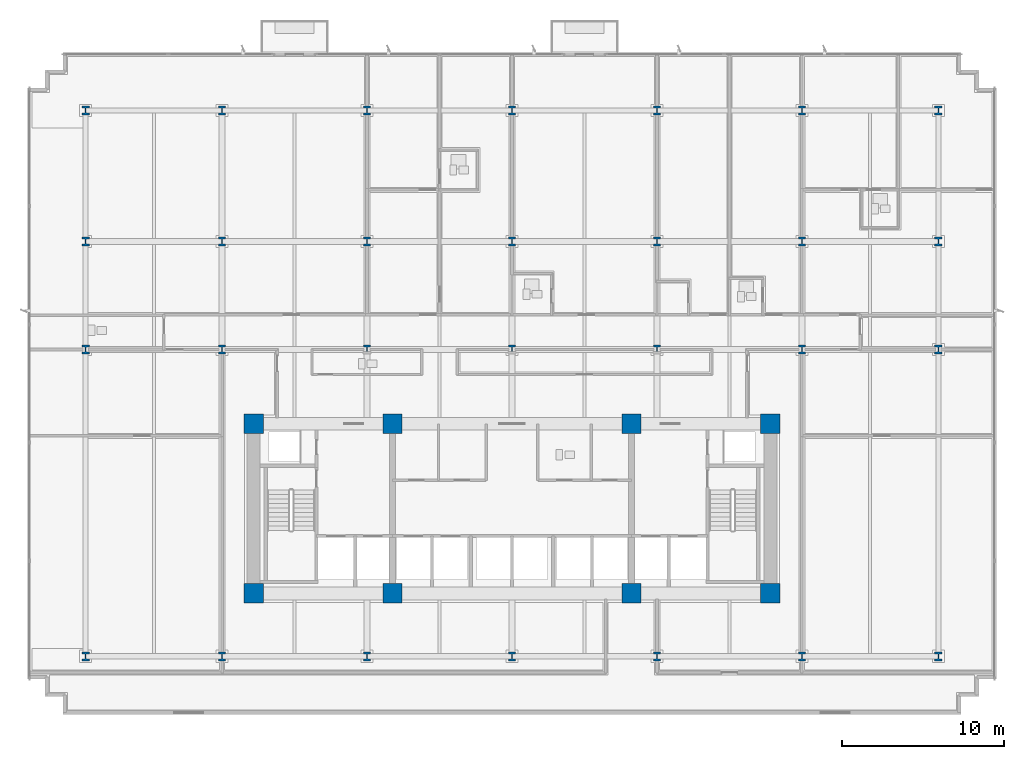
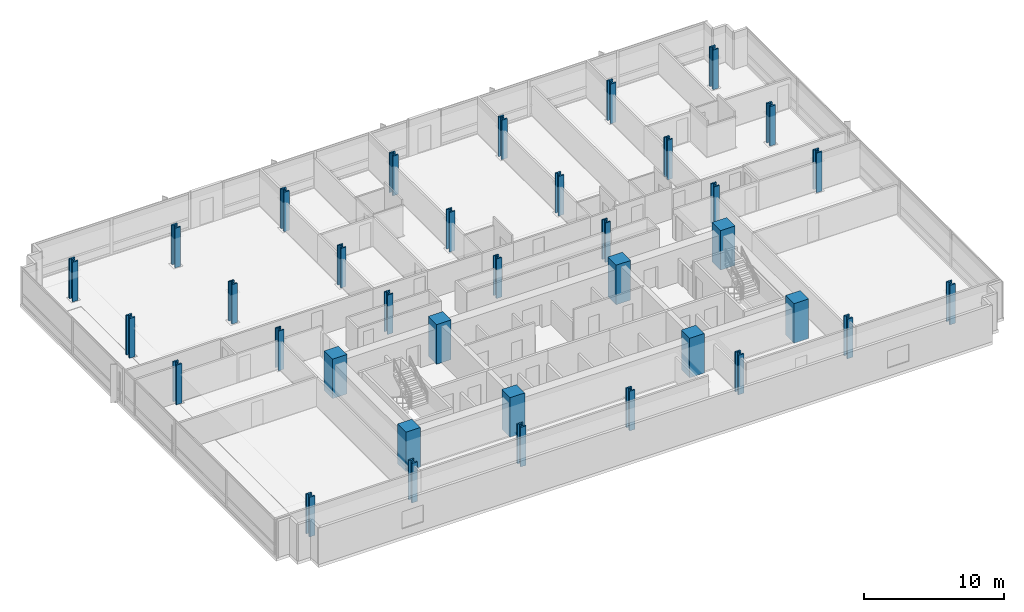
# One storey, part 1 of 17: 36 columns.
"""IFC4 building model written with IfcOpenShell, lengths in metres."""

from ifc_helpers import new_model, si_unit, direction, frame, origin, origin_2d, place, context, subcontext, project, spatial, rectangle, i_section, extrude, material, material_profile, profile_set, type_object, element, save


model = new_model("IFC4")

# Units and contexts
model_context = context("Model", 3, precision=1e-05, world=origin(), true_north=direction((0.0, 1.0)))
body_context = subcontext(model_context, "Body", "Model", "MODEL_VIEW")
ifc_project = project(units=[si_unit("LENGTHUNIT", "METRE"), si_unit("AREAUNIT", "SQUARE_METRE"), si_unit("VOLUMEUNIT", "CUBIC_METRE"), si_unit("PLANEANGLEUNIT", "RADIAN"), si_unit("MASSUNIT", "GRAM", prefix="KILO")], contexts=[model_context])

# Site, building, storey
site_placement = place(None, origin())
site = spatial("IfcSite", under=ifc_project, at=site_placement, CompositionType="ELEMENT")
building_placement = place(site_placement, origin())
building = spatial("IfcBuilding", under=site, at=building_placement, Name="Solmavex Isthmus Hotel", CompositionType="ELEMENT")
storey_placement = place(building_placement, frame((0.0, 0.0, 47.10009765625)))
storey = spatial("IfcBuildingStorey", under=building, at=storey_placement, Name="L12", CompositionType="ELEMENT", Elevation=47.10009765625)

# Columns
ifc_material_1 = material(Name="Concrete C70/85", Category="concrete")
ifc_material_profile_1 = material_profile(ifc_material_1, rectangle(XDim=1.199951171875, YDim=1.199951171875, at=origin_2d()), Name="RC1200X1200")
ifc_profile_set_1 = profile_set([ifc_material_profile_1], Name="Concrete C70/85")
column_type_1 = type_object("IfcColumnType", Name="COL-CC-1200", PredefinedType="COLUMN", material=ifc_profile_set_1)
for number, where, z_axis, x_axis, name in (
    (1, (-16.0, -13.0, 0.0), (0.0, 0.0, 1.0), (1.0, 0.0, 0.0), "Core Pilaster CC-SW L12"),
    (2, (-7.39990234375, -13.0, 0.0), (0.0, 0.0, 1.0), (1.0, 0.0, 0.0), "Core Pilaster CC-S1 L12"),
    (3, (7.39990234375, -13.0, 0.0), (0.0, 0.0, 1.0), (1.0, 0.0, 0.0), "Core Pilaster CC-S2 L12"),
    (4, (16.0, -13.0, 0.0), (0.0, 0.0, 1.0), (1.0, 0.0, 0.0), "Core Pilaster CC-SE L12"),
    (5, (-16.0, -2.5, 0.0), (0.0, 0.0, 1.0), (1.0, 0.0, 0.0), "Core Pilaster CC-NW L12"),
    (6, (-7.39990234375, -2.5, 0.0), (0.0, 0.0, 1.0), (1.0, 0.0, 0.0), "Core Pilaster CC-N1 L12"),
    (7, (7.39990234375, -2.5, 0.0), (0.0, 0.0, 1.0), (1.0, 0.0, 0.0), "Core Pilaster CC-N2 L12"),
    (8, (16.0, -2.5, 0.0), (0.0, 0.0, 1.0), (1.0, 0.0, 0.0), "Core Pilaster CC-NE L12"),
):
    element("IfcColumn", number, at=place(storey_placement, frame(where, z_axis=z_axis, x_axis=x_axis)), inside=storey, type_object=column_type_1, Name=name, PredefinedType="COLUMN", context=body_context, shape_type="SweptSolid", body=[
        extrude(rectangle(XDim=1.199951171875, YDim=1.199951171875, at=origin_2d()), origin(), (0.0, 0.0, 1.0), 3.449951171875),
    ])
ifc_material_2 = material(Name="Steel ASTM A913 Grade 65", Category="steel")
ifc_material_profile_2 = material_profile(ifc_material_2, i_section(OverallWidth=0.442138671875, OverallDepth=0.531494140625, WebThickness=0.06591796875, FlangeThickness=0.105712890625, FilletRadius=0.030517578125, at=origin_2d()), Name="W14X605")
ifc_profile_set_2 = profile_set([ifc_material_profile_2], Name="Steel ASTM A913 Grade 65")
column_type_2 = type_object("IfcColumnType", Name="COL-SC-W14X605", PredefinedType="COLUMN", material=ifc_profile_set_2)
for number, where, z_axis, x_axis, name in (
    (9, (-17.951904296875, 2.10009765625, 0.0), (0.0, 0.0, 1.0), (1.0, 0.0, 0.0), "Tower Column B1-U2V2 L12"),
    (10, (-17.951904296875, 8.7880859375, 0.0), (0.0, 0.0, 1.0), (1.0, 0.0, 0.0), "Tower Column B1-U2V3 L12"),
    (11, (-8.97607421875, 2.10009765625, 0.0), (0.0, 0.0, 1.0), (1.0, 0.0, 0.0), "Tower Column B1-U3V2 L12"),
    (12, (-8.97607421875, 8.7880859375, 0.0), (0.0, 0.0, 1.0), (1.0, 0.0, 0.0), "Tower Column B1-U3V3 L12"),
    (13, (0.0, 2.10009765625, 0.0), (0.0, 0.0, 1.0), (1.0, 0.0, 0.0), "Tower Column B1-U4V2 L12"),
    (14, (0.0, 8.7880859375, 0.0), (0.0, 0.0, 1.0), (1.0, 0.0, 0.0), "Tower Column B1-U4V3 L12"),
    (15, (8.97607421875, 2.10009765625, 0.0), (0.0, 0.0, 1.0), (1.0, 0.0, 0.0), "Tower Column B1-U5V2 L12"),
    (16, (8.97607421875, 8.7880859375, 0.0), (0.0, 0.0, 1.0), (1.0, 0.0, 0.0), "Tower Column B1-U5V3 L12"),
    (17, (17.951904296875, 2.10009765625, 0.0), (0.0, 0.0, 1.0), (1.0, 0.0, 0.0), "Tower Column B1-U6V2 L12"),
    (18, (17.951904296875, 8.7880859375, 0.0), (0.0, 0.0, 1.0), (1.0, 0.0, 0.0), "Tower Column B1-U6V3 L12"),
):
    element("IfcColumn", number, at=place(storey_placement, frame(where, z_axis=z_axis, x_axis=x_axis)), inside=storey, type_object=column_type_2, Name=name, PredefinedType="COLUMN", context=body_context, shape_type="SweptSolid", body=[
        extrude(i_section(OverallWidth=0.442138671875, OverallDepth=0.531494140625, WebThickness=0.06591796875, FlangeThickness=0.105712890625, FilletRadius=0.030517578125, at=origin_2d()), origin(), (0.0, 0.0, 1.0), 3.449951171875),
    ])
ifc_material_profile_3 = material_profile(ifc_material_2, i_section(OverallWidth=0.454345703125, OverallDepth=0.569091796875, WebThickness=0.077880859375, FlangeThickness=0.124755859375, FilletRadius=0.030517578125, at=origin_2d()), Name="W14X730")
ifc_profile_set_3 = profile_set([ifc_material_profile_3], Name="Steel ASTM A913 Grade 65")
column_type_3 = type_object("IfcColumnType", Name="COL-SC-W14X730", PredefinedType="COLUMN", material=ifc_profile_set_3)
for number, where, z_axis, x_axis, name in (
    (19, (-26.39990234375, -16.89990234375, 0.0), (0.0, 0.0, 1.0), (1.0, 0.0, 0.0), "Tower Column B1-U1V1 L12"),
    (20, (-26.39990234375, 2.10009765625, 0.0), (0.0, 0.0, 1.0), (1.0, 0.0, 0.0), "Tower Column B1-U1V2 L12"),
    (21, (-26.39990234375, 8.7880859375, 0.0), (0.0, 0.0, 1.0), (1.0, 0.0, 0.0), "Tower Column B1-U1V3 L12"),
    (22, (-26.39990234375, 16.89990234375, 0.0), (0.0, 0.0, 1.0), (1.0, 0.0, 0.0), "Tower Column B1-U1V4 L12"),
    (23, (-17.951904296875, -16.89990234375, 0.0), (0.0, 0.0, 1.0), (1.0, 0.0, 0.0), "Tower Column B1-U2V1 L12"),
    (24, (-17.951904296875, 16.89990234375, 0.0), (0.0, 0.0, 1.0), (1.0, 0.0, 0.0), "Tower Column B1-U2V4 L12"),
    (25, (-8.97607421875, -16.89990234375, 0.0), (0.0, 0.0, 1.0), (1.0, 0.0, 0.0), "Tower Column B1-U3V1 L12"),
    (26, (-8.97607421875, 16.89990234375, 0.0), (0.0, 0.0, 1.0), (1.0, 0.0, 0.0), "Tower Column B1-U3V4 L12"),
    (27, (0.0, -16.89990234375, 0.0), (0.0, 0.0, 1.0), (1.0, 0.0, 0.0), "Tower Column B1-U4V1 L12"),
    (28, (0.0, 16.89990234375, 0.0), (0.0, 0.0, 1.0), (1.0, 0.0, 0.0), "Tower Column B1-U4V4 L12"),
    (29, (8.97607421875, -16.89990234375, 0.0), (0.0, 0.0, 1.0), (1.0, 0.0, 0.0), "Tower Column B1-U5V1 L12"),
    (30, (8.97607421875, 16.89990234375, 0.0), (0.0, 0.0, 1.0), (1.0, 0.0, 0.0), "Tower Column B1-U5V4 L12"),
    (31, (17.951904296875, -16.89990234375, 0.0), (0.0, 0.0, 1.0), (1.0, 0.0, 0.0), "Tower Column B1-U6V1 L12"),
    (32, (17.951904296875, 16.89990234375, 0.0), (0.0, 0.0, 1.0), (1.0, 0.0, 0.0), "Tower Column B1-U6V4 L12"),
    (33, (26.39990234375, -16.89990234375, 0.0), (0.0, 0.0, 1.0), (1.0, 0.0, 0.0), "Tower Column B1-U7V1 L12"),
    (34, (26.39990234375, 2.10009765625, 0.0), (0.0, 0.0, 1.0), (1.0, 0.0, 0.0), "Tower Column B1-U7V2 L12"),
    (35, (26.39990234375, 8.7880859375, 0.0), (0.0, 0.0, 1.0), (1.0, 0.0, 0.0), "Tower Column B1-U7V3 L12"),
    (36, (26.39990234375, 16.89990234375, 0.0), (0.0, 0.0, 1.0), (1.0, 0.0, 0.0), "Tower Column B1-U7V4 L12"),
):
    element("IfcColumn", number, at=place(storey_placement, frame(where, z_axis=z_axis, x_axis=x_axis)), inside=storey, type_object=column_type_3, Name=name, PredefinedType="COLUMN", context=body_context, shape_type="SweptSolid", body=[
        extrude(i_section(OverallWidth=0.454345703125, OverallDepth=0.569091796875, WebThickness=0.077880859375, FlangeThickness=0.124755859375, FilletRadius=0.030517578125, at=origin_2d()), origin(), (0.0, 0.0, 1.0), 3.449951171875),
    ])

save(model, "model.ifc")
